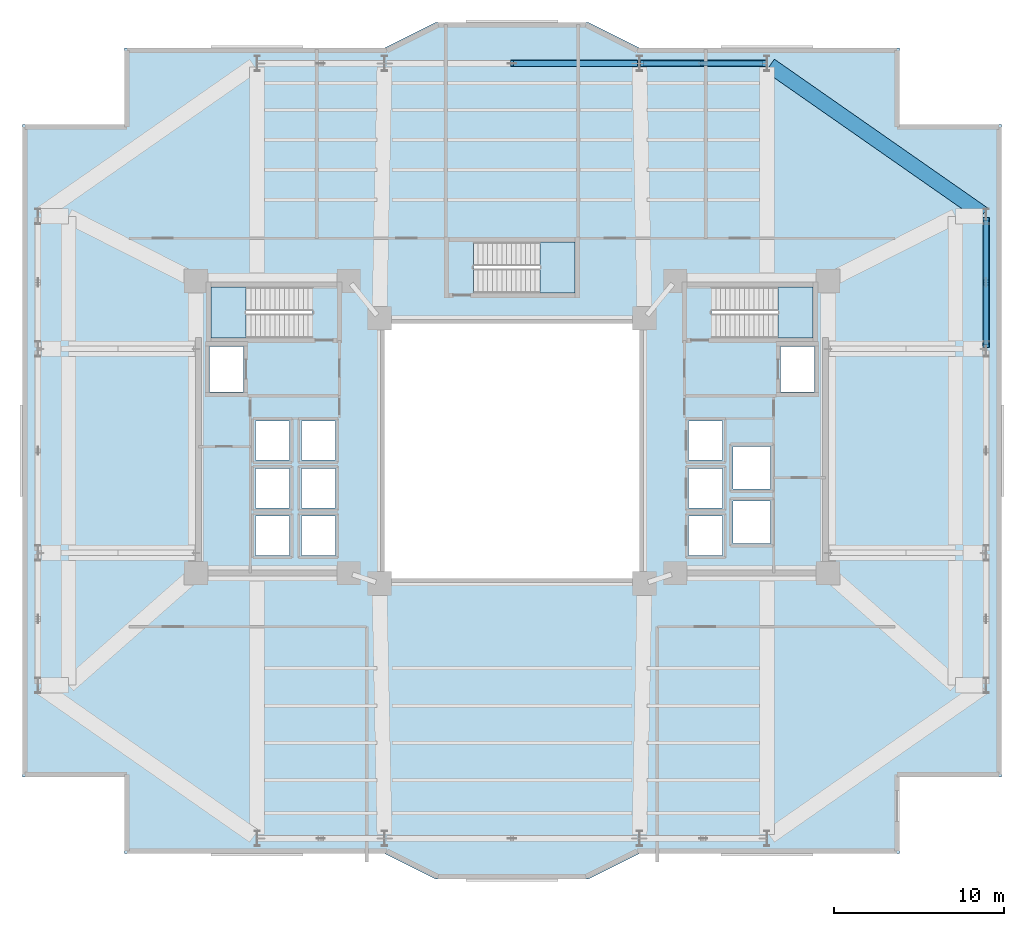
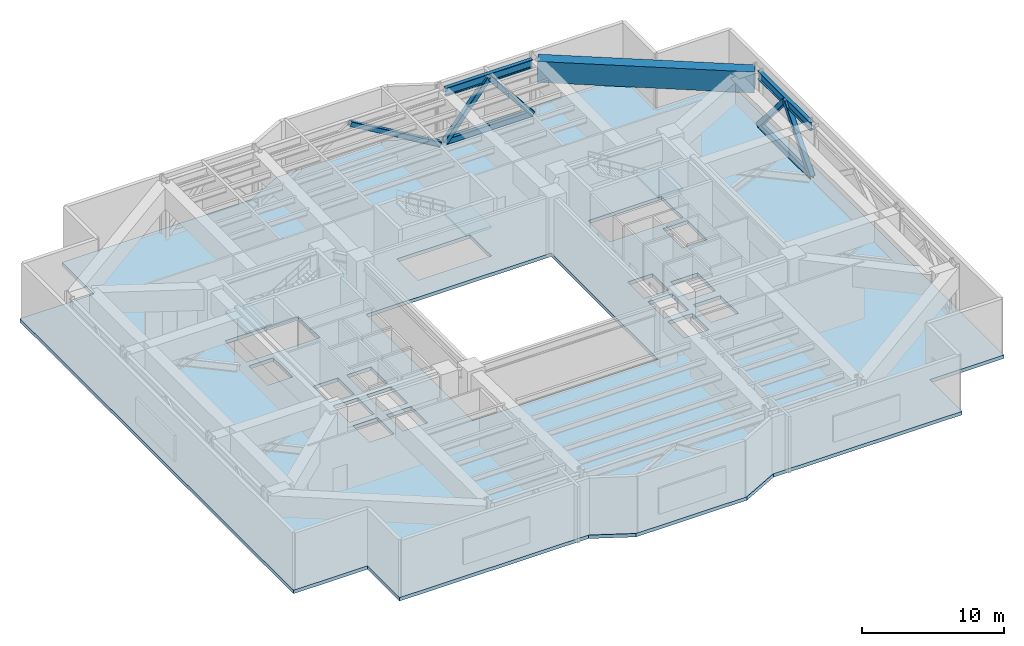
# One storey, part 3 of 12: 7 members, 4 slabs, 3 beams, 3 elements without a shape of their own.
"""IFC4 building model written with IfcOpenShell, lengths in metres."""

import ifcopenshell
import ifcopenshell.guid

model = None  # the IFC model being written
_history = None  # IfcOwnerHistory: only IFC2X3 demands one
_inside = {}  # id of a spatial element -> (the spatial element, [elements in it])
_under = {}  # id of a project, library or spatial element -> (it, [spatial elements below it])
_declared = {}  # id of a project -> (the project, [libraries it declares])
_typed = {}  # id of a type object -> (the type object, [elements of that type])
_made_of = {}  # id of a material, layer set ... -> (it, [elements and type objects made of it])


def new_model(schema):
    """Start an empty IFC model of exactly this schema.

    Asked for "IFC4X3", IfcOpenShell would pick the latest addendum, in which some entities
    have other attributes; the version numbers below select the first issue.
    IFC2X3 requires an IfcOwnerHistory on every rooted entity: one is made here for all.
    """
    global model, _history
    if schema == "IFC4X3":
        model = ifcopenshell.file(schema_version=(4, 3, 0, 0))
    else:
        model = ifcopenshell.file(schema=schema)
    _inside.clear()
    _under.clear()
    _declared.clear()
    _typed.clear()
    _made_of.clear()
    _history = None
    if model.schema == "IFC2X3":
        org = make("IfcOrganization", Name="unknown")
        user = make(
            "IfcPersonAndOrganization",
            ThePerson=make("IfcPerson", FamilyName="unknown"),
            TheOrganization=org,
        )
        app = make(
            "IfcApplication",
            ApplicationDeveloper=org,
            Version="unknown",
            ApplicationFullName="unknown",
            ApplicationIdentifier="unknown",
        )
        _history = make(
            "IfcOwnerHistory",
            OwningUser=user,
            OwningApplication=app,
            ChangeAction="ADDED",
            CreationDate=0,
        )
    return model


def make(cls, **values):
    """One entity of the class cls with the attributes given. An attribute that is None is left unset."""
    return model.create_entity(
        cls, **{name: value for name, value in values.items() if value is not None}
    )


def rooted(cls, **values):
    """An entity with a GlobalId (a new one), such as an element, a storey or a relation."""
    return make(cls, GlobalId=ifcopenshell.guid.new(), OwnerHistory=_history, **values)


def si_unit(unit_type, name, prefix=None):
    """IfcSIUnit, for example si_unit("LENGTHUNIT", "METRE", prefix="MILLI")."""
    return make("IfcSIUnit", UnitType=unit_type, Prefix=prefix, Name=name)


def assignment(units):
    """IfcUnitAssignment: the units of a project."""
    return None if units is None else make("IfcUnitAssignment", Units=units)


def point(xyz):
    """IfcCartesianPoint."""
    return None if xyz is None else make("IfcCartesianPoint", Coordinates=xyz)


def direction(xyz):
    """IfcDirection."""
    return None if xyz is None else make("IfcDirection", DirectionRatios=xyz)


def frame(location, z_axis=None, x_axis=None):
    """IfcAxis2Placement3D, a coordinate frame: its origin and axes. An axis left out is left unset."""
    return make(
        "IfcAxis2Placement3D",
        Location=point(location),
        Axis=direction(z_axis),
        RefDirection=direction(x_axis),
    )


def frame_2d(location, x_axis=None):
    """IfcAxis2Placement2D, a coordinate frame in the plane: its origin and x axis."""
    return make(
        "IfcAxis2Placement2D", Location=point(location), RefDirection=direction(x_axis)
    )


def origin():
    """The frame at (0, 0, 0) with its axes left unset."""
    return frame((0.0, 0.0, 0.0))


def origin_2d():
    """The frame at (0, 0) in the plane with its x axis left unset."""
    return frame_2d((0.0, 0.0))


def place(relative_to, where):
    """IfcLocalPlacement: puts the frame where relative to a parent placement (None: the world)."""
    return make(
        "IfcLocalPlacement", PlacementRelTo=relative_to, RelativePlacement=where
    )


def context(
    kind, dimensions, precision=None, world=None, true_north=None, identifier=None
):
    """IfcGeometricRepresentationContext, for example the 3D "Model" context."""
    return make(
        "IfcGeometricRepresentationContext",
        ContextIdentifier=identifier,
        ContextType=kind,
        CoordinateSpaceDimension=dimensions,
        Precision=precision,
        WorldCoordinateSystem=world,
        TrueNorth=true_north,
    )


def subcontext(parent, identifier, kind, view, scale=None):
    """IfcGeometricRepresentationSubContext, for example "Body" below "Model"."""
    return make(
        "IfcGeometricRepresentationSubContext",
        ContextIdentifier=identifier,
        ContextType=kind,
        ParentContext=parent,
        TargetScale=scale,
        TargetView=view,
    )


def project(units=None, contexts=None):
    """IfcProject with its units and contexts."""
    return rooted(
        "IfcProject",
        Name="project",
        RepresentationContexts=contexts,
        UnitsInContext=assignment(units),
    )


def spatial(cls, under=None, at=None, **own):
    """A site, building, storey or space (cls), placed at a placement, below another one or the project."""
    s = rooted(cls, ObjectPlacement=at, **own)
    if under is not None:
        _under.setdefault(under.id(), (under, []))[1].append(s)
    return s


def polyline(points):
    """IfcPolyline through the points."""
    return make("IfcPolyline", Points=[point(p) for p in points])


def profile(cls, at=None, kind="AREA", **sizes):
    """A parametric profile (cls). Its sizes go by their IFC names, for example OverallWidth=200.0."""
    return make(cls, ProfileType=kind, Position=at, **sizes)


def rectangle(**sizes):
    """IfcRectangleProfileDef."""
    return profile("IfcRectangleProfileDef", **sizes)


def hollow_rectangle(**sizes):
    """IfcRectangleHollowProfileDef."""
    return profile("IfcRectangleHollowProfileDef", **sizes)


def i_section(**sizes):
    """IfcIShapeProfileDef."""
    return profile("IfcIShapeProfileDef", **sizes)


def outline(outer, holes=None, kind="AREA"):
    """IfcArbitraryClosedProfileDef: a profile drawn as a closed curve; with holes, ...WithVoids."""
    if holes is None:
        return make("IfcArbitraryClosedProfileDef", ProfileType=kind, OuterCurve=outer)
    return make(
        "IfcArbitraryProfileDefWithVoids",
        ProfileType=kind,
        OuterCurve=outer,
        InnerCurves=holes,
    )


def extrude(swept, where, along, depth):
    """IfcExtrudedAreaSolid: the profile swept, set in the frame where, extruded along a direction by depth."""
    return make(
        "IfcExtrudedAreaSolid",
        SweptArea=swept,
        Position=where,
        ExtrudedDirection=direction(along),
        Depth=depth,
    )


def shape(context_of_items, identifier, shape_type, items):
    """IfcShapeRepresentation: the items that make up one representation, for example the "Body"."""
    return make(
        "IfcShapeRepresentation",
        ContextOfItems=context_of_items,
        RepresentationIdentifier=identifier,
        RepresentationType=shape_type,
        Items=items,
    )


def material(Name=None, Category=None):
    """IfcMaterial."""
    return make("IfcMaterial", Name=Name, Category=Category)


def layer(
    of_material, thickness, ventilated=None, Name=None, Category=None, Priority=None
):
    """IfcMaterialLayer: one layer of a wall or slab, of a material (None: an air gap)."""
    return make(
        "IfcMaterialLayer",
        Material=of_material,
        LayerThickness=thickness,
        IsVentilated=ventilated,
        Name=Name,
        Category=Category,
        Priority=Priority,
    )


def layer_set(layers, Name=None):
    """IfcMaterialLayerSet."""
    return make("IfcMaterialLayerSet", MaterialLayers=layers, LayerSetName=Name)


def material_profile(
    of_material, cross_section, Name=None, Category=None, Priority=None
):
    """IfcMaterialProfile: a cross section and its material."""
    return make(
        "IfcMaterialProfile",
        Name=Name,
        Material=of_material,
        Profile=cross_section,
        Priority=Priority,
        Category=Category,
    )


def profile_set(profiles, Name=None, composite=None):
    """IfcMaterialProfileSet."""
    return make(
        "IfcMaterialProfileSet",
        Name=Name,
        MaterialProfiles=profiles,
        CompositeProfile=composite,
    )


def made_of(thing, what):
    """Note that an element or type object is made of a material, layer set ...; save() writes the relation."""
    if what is not None:
        _made_of.setdefault(what.id(), (what, []))[1].append(thing)
    return thing


def type_object(cls, material=None, **own):
    """A type object (cls), such as IfcWallType, which elements share."""
    return made_of(rooted(cls, **own), material)


def element(
    cls,
    number,
    at=None,
    inside=None,
    cuts=None,
    type_object=None,
    material=None,
    context=None,
    identifier="Body",
    shape_type=None,
    held_by="IfcProductDefinitionShape",
    body=None,
    shapes=None,
    **own,
):
    """One element of the class cls, such as IfcWall. Its Tag is "e" and its number.

    at: its placement. inside: the storey or other place that contains it. cuts: it is an
    opening in that element (IfcRelVoidsElement). A single representation is given by context,
    identifier, shape_type and body (its items); several are given by shapes. held_by: the class
    of the entity that holds the representations. save() writes the other relations.
    """
    e = rooted(cls, Tag="e%d" % number, ObjectPlacement=at, **own)
    if body is not None:
        shapes = [shape(context, identifier, shape_type, body)]
    if shapes is not None:
        e.Representation = make(held_by, Representations=shapes)
    if inside is not None:
        _inside.setdefault(inside.id(), (inside, []))[1].append(e)
    if cuts is not None:
        rooted(
            "IfcRelVoidsElement", RelatingBuildingElement=cuts, RelatedOpeningElement=e
        )
    if type_object is not None:
        _typed.setdefault(type_object.id(), (type_object, []))[1].append(e)
    return made_of(e, material)


def aggregate(whole, parts):
    """IfcRelAggregates: a whole, such as a stair, and the parts it consists of."""
    return rooted("IfcRelAggregates", RelatingObject=whole, RelatedObjects=parts)


def save(model, path):
    """Write the relations noted so far, then the file.

    IfcRelAggregates (storeys below a building ...), IfcRelContainedInSpatialStructure (elements
    in a storey), IfcRelDefinesByType, IfcRelAssociatesMaterial and IfcRelDeclares: one each for
    every whole, place, type object, material and project.
    """
    for whole, parts in _under.values():
        aggregate(whole, parts)
    for where, things in _inside.values():
        rooted(
            "IfcRelContainedInSpatialStructure",
            RelatedElements=things,
            RelatingStructure=where,
        )
    for kind, things in _typed.values():
        rooted("IfcRelDefinesByType", RelatedObjects=things, RelatingType=kind)
    for what, things in _made_of.values():
        rooted("IfcRelAssociatesMaterial", RelatedObjects=things, RelatingMaterial=what)
    for by, libraries in _declared.values():
        rooted("IfcRelDeclares", RelatingContext=by, RelatedDefinitions=libraries)
    model.write(path)


model = new_model("IFC4")

# Units and contexts
model_context = context("Model", 3, precision=1e-05, world=origin(), true_north=direction((0.0, 1.0)))
body_context = subcontext(model_context, "Body", "Model", "MODEL_VIEW")
ifc_project = project(units=[si_unit("LENGTHUNIT", "METRE"), si_unit("AREAUNIT", "SQUARE_METRE"), si_unit("VOLUMEUNIT", "CUBIC_METRE"), si_unit("PLANEANGLEUNIT", "RADIAN"), si_unit("MASSUNIT", "GRAM", prefix="KILO")], contexts=[model_context])

# Site, building, storey
site_placement = place(None, origin())
site = spatial("IfcSite", under=ifc_project, at=site_placement, CompositionType="ELEMENT")
building_placement = place(site_placement, origin())
building = spatial("IfcBuilding", under=site, at=building_placement, Name="Tarnavaz Court Tower", CompositionType="ELEMENT")
storey_placement = place(building_placement, frame((0.0, 0.0, 73.199951171875)))
storey = spatial("IfcBuildingStorey", under=building, at=storey_placement, Name="L19", CompositionType="ELEMENT", Elevation=73.199951171875)

# Beams
ifc_material_1 = material(Name="Steel S460", Category="steel")
ifc_material_profile_1 = material_profile(ifc_material_1, i_section(OverallWidth=0.303955078125, OverallDepth=0.716064453125, WebThickness=0.02099609375, FlangeThickness=0.0400390625, FilletRadius=0.027099609375, at=origin_2d()), Name="HEM 700")
ifc_profile_set_1 = profile_set([ifc_material_profile_1], Name="Steel S460")
beam_type_1 = type_object("IfcBeamType", Name="BM-BT-HEM700", PredefinedType="USERDEFINED", material=ifc_profile_set_1)
beam_1_placement = place(storey_placement, frame((7.719970703125, 22.800048828125, 4.491943359375), z_axis=(1.0, 0.0, 0.0), x_axis=(0.0, 1.0, 0.0)))
element("IfcBeam", 1, at=beam_1_placement, inside=storey, type_object=beam_type_1, Name="L19 Beam PR-PN-3-PN-4", ObjectType="GIRDER", PredefinedType="USERDEFINED", context=body_context, shape_type="SweptSolid", body=[
    extrude(i_section(OverallWidth=0.303955078125, OverallDepth=0.716064453125, WebThickness=0.02099609375, FlangeThickness=0.0400390625, FilletRadius=0.027099609375, at=origin_2d()), origin(), (0.0, 0.0, 1.0), 7.06005859375),
])
beam_2_placement = place(storey_placement, frame((27.89990234375, 6.219970703125, 4.491943359375), z_axis=(0.0, 1.0, 0.0), x_axis=(-1.0, 0.0, 0.0)))
element("IfcBeam", 2, at=beam_2_placement, inside=storey, type_object=beam_type_1, Name="L19 Beam PR-PE-3-PE-4", ObjectType="GIRDER", PredefinedType="USERDEFINED", context=body_context, shape_type="SweptSolid", body=[
    extrude(i_section(OverallWidth=0.303955078125, OverallDepth=0.716064453125, WebThickness=0.02099609375, FlangeThickness=0.0400390625, FilletRadius=0.027099609375, at=origin_2d()), origin(), (0.0, 0.0, 1.0), 7.360107421875),
])
ifc_material_2 = material(Name="Concrete C50/60", Category="concrete")
ifc_material_profile_2 = material_profile(ifc_material_2, rectangle(XDim=0.89990234375, YDim=1.800048828125, at=origin_2d()), Name="RC 900X1800")
ifc_profile_set_2 = profile_set([ifc_material_profile_2], Name="Concrete C50/60")
beam_type_2 = type_object("IfcBeamType", Name="BM-TG1800", PredefinedType="USERDEFINED", material=ifc_profile_set_2)
beam_3_placement = place(storey_placement, frame((15.180419921875, 22.674072265625, 3.949951171875), z_axis=(0.820123643324, -0.572186341729, 0.0), x_axis=(0.572186341729, 0.820123643324, 0.0)))
element("IfcBeam", 3, at=beam_3_placement, inside=storey, type_object=beam_type_2, Name="L19 Beam PR-PN-4-PE-4", ObjectType="GIRDER", PredefinedType="USERDEFINED", context=body_context, shape_type="SweptSolid", body=[
    extrude(rectangle(XDim=0.89990234375, YDim=1.800048828125, at=origin_2d()), origin(), (0.0, 0.0, 1.0), 15.289306640625),
])

# Members
ifc_material_profile_3 = material_profile(ifc_material_1, hollow_rectangle(XDim=0.300048828125, YDim=0.5, WallThickness=0.02001953125, InnerFilletRadius=0.02001953125, OuterFilletRadius=0.0400390625, at=origin_2d()), Name="RHS 500X300X20")
ifc_profile_set_3 = profile_set([ifc_material_profile_3], Name="Steel S460")
member_type_1 = type_object("IfcMemberType", Name="MB-BT-RHS500", PredefinedType="CHORD", material=ifc_profile_set_3)
member_1_placement = place(storey_placement, frame((7.719970703125, 22.800048828125, 0.199951171875), z_axis=(1.0, 0.0, 0.0), x_axis=(0.0, 1.0, 0.0)))
element("IfcMember", 4, at=member_1_placement, inside=storey, type_object=member_type_1, Name="L19 Belt Truss Bottom Chord PN-3-PN-4", PredefinedType="CHORD", context=body_context, shape_type="SweptSolid", body=[
    extrude(hollow_rectangle(XDim=0.300048828125, YDim=0.5, WallThickness=0.02001953125, InnerFilletRadius=0.02001953125, OuterFilletRadius=0.0400390625, at=origin_2d()), origin(), (0.0, 0.0, 1.0), 7.06005859375),
])
member_2_placement = place(storey_placement, frame((27.89990234375, 6.219970703125, 0.199951171875), z_axis=(0.0, 1.0, 0.0), x_axis=(-1.0, 0.0, 0.0)))
element("IfcMember", 5, at=member_2_placement, inside=storey, type_object=member_type_1, Name="L19 Belt Truss Bottom Chord PE-3-PE-4", PredefinedType="CHORD", context=body_context, shape_type="SweptSolid", body=[
    extrude(hollow_rectangle(XDim=0.300048828125, YDim=0.5, WallThickness=0.02001953125, InnerFilletRadius=0.02001953125, OuterFilletRadius=0.0400390625, at=origin_2d()), origin(), (0.0, 0.0, 1.0), 7.360107421875),
])
ifc_material_profile_4 = material_profile(ifc_material_1, hollow_rectangle(XDim=0.39990234375, YDim=0.39990234375, WallThickness=0.02001953125, InnerFilletRadius=0.02001953125, OuterFilletRadius=0.0400390625, at=origin_2d()), Name="SHS 400X400X20")
ifc_profile_set_4 = profile_set([ifc_material_profile_4], Name="Steel S460")
member_type_2 = type_object("IfcMemberType", Name="MB-BT-SHS400", PredefinedType="BRACE", material=ifc_profile_set_4)
member_3_placement = place(storey_placement, frame((7.280029296875, 22.800048828125, 0.199951171875), z_axis=(-0.861019063822, 0.0, 0.508572680878), x_axis=(0.0, -1.0, 0.0)))
element("IfcMember", 6, at=member_3_placement, inside=storey, type_object=member_type_2, Name="L19 Belt Truss Diagonal 02B", PredefinedType="BRACE", context=body_context, shape_type="SweptSolid", body=[
    extrude(hollow_rectangle(XDim=0.39990234375, YDim=0.39990234375, WallThickness=0.02001953125, InnerFilletRadius=0.02001953125, OuterFilletRadius=0.0400390625, at=origin_2d()), origin(), (0.0, 0.0, 1.0), 8.455078125),
])
for number, where, z_axis, x_axis, name in (
    (7, (7.719970703125, 22.800048828125, 0.199951171875), (0.634508247424, 0.0, 0.772916091145), (0.0, 1.0, 0.0), "L19 Belt Truss Diagonal 03A"),
    (8, (14.780029296875, 22.800048828125, 0.199951171875), (-0.634508247424, 0.0, 0.772916091145), (0.0, -1.0, 0.0), "L19 Belt Truss Diagonal 03B"),
):
    element("IfcMember", number, at=place(storey_placement, frame(where, z_axis=z_axis, x_axis=x_axis)), inside=storey, type_object=member_type_2, Name=name, PredefinedType="BRACE", context=body_context, shape_type="SweptSolid", body=[
        extrude(hollow_rectangle(XDim=0.39990234375, YDim=0.39990234375, WallThickness=0.02001953125, InnerFilletRadius=0.02001953125, OuterFilletRadius=0.0400390625, at=origin_2d()), origin(), (0.0, 0.0, 1.0), 5.5634765625),
    ])
member_4_placement = place(storey_placement, frame((27.89990234375, 6.219970703125, 0.199951171875), z_axis=(0.0, 0.650197919718, 0.759764874941), x_axis=(-1.0, 0.0, 0.0)))
element("IfcMember", 9, at=member_4_placement, inside=storey, type_object=member_type_2, Name="L19 Belt Truss Diagonal 09A", PredefinedType="BRACE", context=body_context, shape_type="SweptSolid", body=[
    extrude(hollow_rectangle(XDim=0.39990234375, YDim=0.39990234375, WallThickness=0.02001953125, InnerFilletRadius=0.02001953125, OuterFilletRadius=0.0400390625, at=origin_2d()), origin(), (0.0, 0.0, 1.0), 5.65966796875),
])
member_5_placement = place(storey_placement, frame((27.89990234375, 13.580078125, 0.199951171875), z_axis=(0.0, -0.650222818954, 0.759743565758), x_axis=(1.0, 0.0, 0.0)))
element("IfcMember", 10, at=member_5_placement, inside=storey, type_object=member_type_2, Name="L19 Belt Truss Diagonal 09B", PredefinedType="BRACE", context=body_context, shape_type="SweptSolid", body=[
    extrude(hollow_rectangle(XDim=0.39990234375, YDim=0.39990234375, WallThickness=0.02001953125, InnerFilletRadius=0.02001953125, OuterFilletRadius=0.0400390625, at=origin_2d()), origin(), (0.0, 0.0, 1.0), 5.659912109375),
])

# Stair, slab
ifc_material_3 = material(Name="Concrete C40/50", Category="concrete")
stair_type = type_object("IfcStairType", Name="ST-TWR-30R", PredefinedType="HALF_TURN_STAIR", material=ifc_material_3)
stair_1_placement = place(storey_placement, origin())
stair_1 = element("IfcStair", 11, at=stair_1_placement, inside=storey, type_object=stair_type, Name="L19 West Core Pressurized Exit Stair ST-W1", PredefinedType="HALF_TURN_STAIR")
ifc_layer_1 = layer(ifc_material_3, 0.199951171875)
ifc_layer_set_1 = layer_set([ifc_layer_1], Name="Concrete C40/50")
slab_type_1 = type_object("IfcSlabType", Name="SL-LAND-200", PredefinedType="LANDING", material=ifc_layer_set_1)
slab_1_placement = place(storey_placement, frame((0.0, 0.0, 2.35009765625)))
slab_1 = element("IfcSlab", 12, at=slab_1_placement, type_object=slab_type_1, Name="ST-W1 landing 1", PredefinedType="LANDING", context=body_context, shape_type="SweptSolid", body=[
    extrude(outline(polyline([(-15.639892578125, 9.639892578125), (-17.699951171875, 9.639892578125), (-17.699951171875, 6.64990234375), (-15.639892578125, 6.64990234375), (-15.639892578125, 9.639892578125)])), origin(), (0.0, 0.0, 1.0), 0.199951171875),
])
aggregate(stair_1, [slab_1])

stair_2_placement = place(storey_placement, origin())
stair_2 = element("IfcStair", 13, at=stair_2_placement, inside=storey, type_object=stair_type, Name="L19 East Core Pressurized Exit Stair ST-E1", PredefinedType="HALF_TURN_STAIR")
slab_2_placement = place(storey_placement, frame((0.0, 0.0, 2.35009765625)))
slab_2 = element("IfcSlab", 14, at=slab_2_placement, type_object=slab_type_1, Name="ST-E1 landing 1", PredefinedType="LANDING", context=body_context, shape_type="SweptSolid", body=[
    extrude(outline(polyline([(15.639892578125, 6.64990234375), (17.699951171875, 6.64990234375), (17.699951171875, 9.639892578125), (15.639892578125, 9.639892578125), (15.639892578125, 6.64990234375)])), origin(), (0.0, 0.0, 1.0), 0.199951171875),
])
aggregate(stair_2, [slab_2])

stair_3_placement = place(storey_placement, origin())
stair_3 = element("IfcStair", 15, at=stair_3_placement, inside=storey, type_object=stair_type, Name="L19 North Ring Pressurized Exit Stair ST-N1", PredefinedType="HALF_TURN_STAIR")
slab_3_placement = place(storey_placement, frame((0.0, 0.0, 2.35009765625)))
slab_3 = element("IfcSlab", 16, at=slab_3_placement, type_object=slab_type_1, Name="ST-N1 landing 1", PredefinedType="LANDING", context=body_context, shape_type="SweptSolid", body=[
    extrude(outline(polyline([(1.639892578125, 9.300048828125), (3.699951171875, 9.300048828125), (3.699951171875, 12.2900390625), (1.639892578125, 12.2900390625), (1.639892578125, 9.300048828125)])), origin(), (0.0, 0.0, 1.0), 0.199951171875),
])
aggregate(stair_3, [slab_3])

# Slab
ifc_layer_2 = layer(ifc_material_3, 0.300048828125)
ifc_layer_set_2 = layer_set([ifc_layer_2], Name="Concrete C40/50")
slab_type_2 = type_object("IfcSlabType", Name="SL-POD-300", PredefinedType="FLOOR", material=ifc_layer_set_2)
slab_4_placement = place(storey_placement, frame((0.0, 0.0, -0.300048828125)))
element("IfcSlab", 17, at=slab_4_placement, inside=storey, type_object=slab_type_2, Name="L19 Structural Floor Slab", PredefinedType="FLOOR", context=body_context, shape_type="SweptSolid", body=[
    extrude(outline(polyline([(-22.800048828125, -23.699951171875), (-7.5, -23.699951171875), (-4.5, -25.199951171875), (4.5, -25.199951171875), (7.5, -23.699951171875), (22.800048828125, -23.699951171875), (22.800048828125, -19.199951171875), (28.800048828125, -19.199951171875), (28.800048828125, 19.199951171875), (22.800048828125, 19.199951171875), (22.800048828125, 23.699951171875), (7.5, 23.699951171875), (4.5, 25.199951171875), (-4.5, 25.199951171875), (-7.5, 23.699951171875), (-22.800048828125, 23.699951171875), (-22.800048828125, 19.199951171875), (-28.800048828125, 19.199951171875), (-28.800048828125, -19.199951171875), (-22.800048828125, -19.199951171875), (-22.800048828125, -23.699951171875)]), holes=[polyline([(-7.5, -7.5), (7.5, -7.5), (7.5, 7.5), (-7.5, 7.5), (-7.5, -7.5)]), polyline([(-11.7451171875, 9.639892578125), (-17.699951171875, 9.639892578125), (-17.699951171875, 6.64990234375), (-11.7451171875, 6.64990234375), (-11.7451171875, 9.639892578125)]), polyline([(11.7451171875, 6.64990234375), (17.699951171875, 6.64990234375), (17.699951171875, 9.639892578125), (11.7451171875, 9.639892578125), (11.7451171875, 6.64990234375)]), polyline([(-2.2548828125, 9.300048828125), (3.699951171875, 9.300048828125), (3.699951171875, 12.2900390625), (-2.2548828125, 12.2900390625), (-2.2548828125, 9.300048828125)]), polyline([(-17.800048828125, 3.449951171875), (-15.800048828125, 3.449951171875), (-15.800048828125, 6.14990234375), (-17.800048828125, 6.14990234375), (-17.800048828125, 3.449951171875)]), polyline([(-12.39990234375, -6.14990234375), (-10.39990234375, -6.14990234375), (-10.39990234375, -3.85009765625), (-12.39990234375, -3.85009765625), (-12.39990234375, -6.14990234375)]), polyline([(-12.39990234375, -3.35009765625), (-10.39990234375, -3.35009765625), (-10.39990234375, -1.050048828125), (-12.39990234375, -1.050048828125), (-12.39990234375, -3.35009765625)]), polyline([(-12.39990234375, -0.550048828125), (-10.39990234375, -0.550048828125), (-10.39990234375, 1.75), (-12.39990234375, 1.75), (-12.39990234375, -0.550048828125)]), polyline([(-15.10009765625, -6.14990234375), (-13.10009765625, -6.14990234375), (-13.10009765625, -3.85009765625), (-15.10009765625, -3.85009765625), (-15.10009765625, -6.14990234375)]), polyline([(-15.10009765625, -3.35009765625), (-13.10009765625, -3.35009765625), (-13.10009765625, -1.050048828125), (-15.10009765625, -1.050048828125), (-15.10009765625, -3.35009765625)]), polyline([(-15.10009765625, -0.550048828125), (-13.10009765625, -0.550048828125), (-13.10009765625, 1.75), (-15.10009765625, 1.75), (-15.10009765625, -0.550048828125)]), polyline([(15.800048828125, 3.449951171875), (17.800048828125, 3.449951171875), (17.800048828125, 6.14990234375), (15.800048828125, 6.14990234375), (15.800048828125, 3.449951171875)]), polyline([(10.39990234375, -6.14990234375), (12.39990234375, -6.14990234375), (12.39990234375, -3.85009765625), (10.39990234375, -3.85009765625), (10.39990234375, -6.14990234375)]), polyline([(10.39990234375, -3.35009765625), (12.39990234375, -3.35009765625), (12.39990234375, -1.050048828125), (10.39990234375, -1.050048828125), (10.39990234375, -3.35009765625)]), polyline([(10.39990234375, -0.550048828125), (12.39990234375, -0.550048828125), (12.39990234375, 1.75), (10.39990234375, 1.75), (10.39990234375, -0.550048828125)]), polyline([(13.0, -5.449951171875), (15.199951171875, -5.449951171875), (15.199951171875, -2.949951171875), (13.0, -2.949951171875), (13.0, -5.449951171875)]), polyline([(13.0, -2.25), (15.199951171875, -2.25), (15.199951171875, 0.25), (13.0, 0.25), (13.0, -2.25)])]), origin(), (0.0, 0.0, 1.0), 0.300048828125),
])

save(model, "model.ifc")
